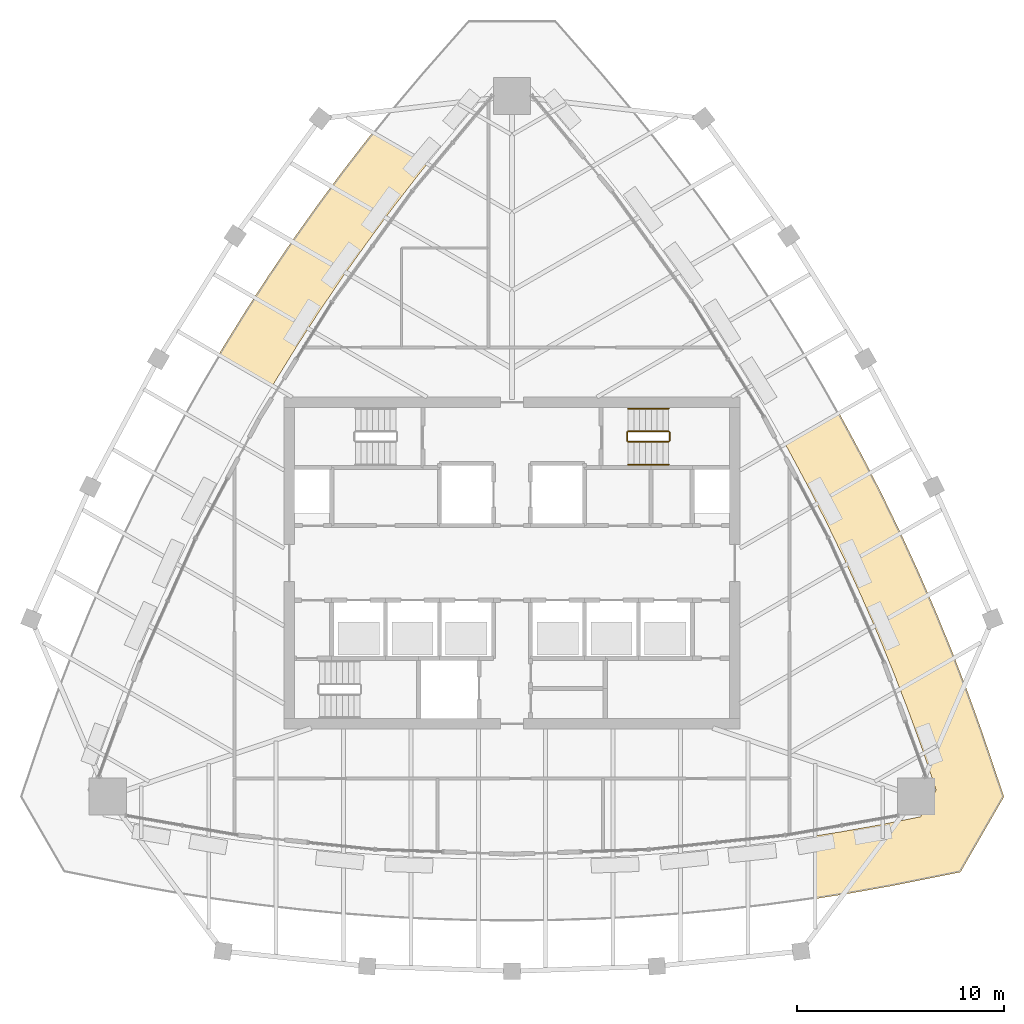
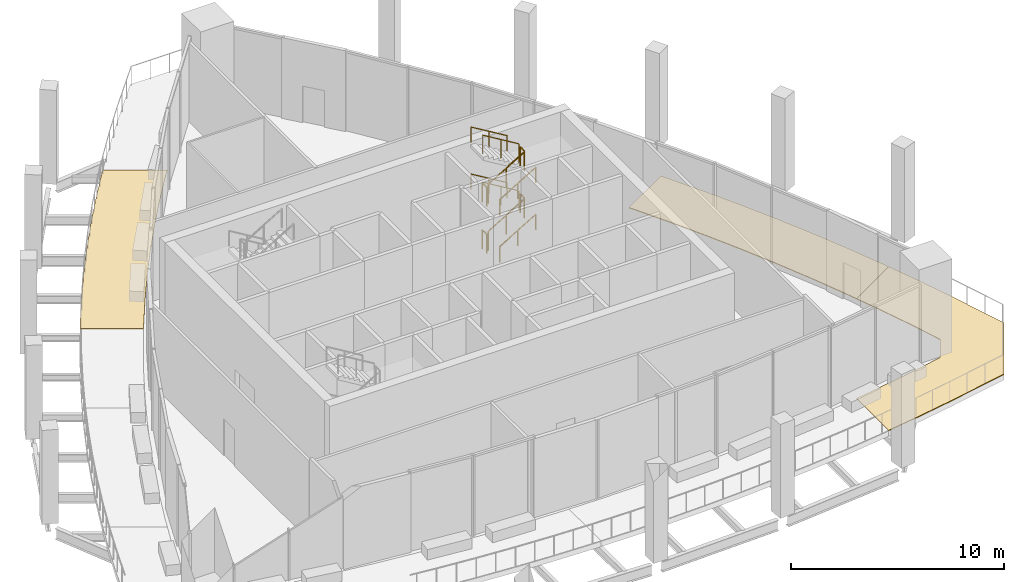
# One storey, part 12 of 14: 12 railings, 3 coverings.
"""IFC4 building model written with IfcOpenShell, lengths in metres."""

from ifc_helpers import new_model, si_unit, direction, frame, origin, origin_2d, place, context, subcontext, project, spatial, polyline, circle, outline, extrude, material, layer, layer_set, type_object, element, save


model = new_model("IFC4")

# Units and contexts
model_context = context("Model", 3, precision=1e-05, world=origin(), true_north=direction((0.0, 1.0)))
body_context = subcontext(model_context, "Body", "Model", "MODEL_VIEW")
ifc_project = project(units=[si_unit("LENGTHUNIT", "METRE"), si_unit("AREAUNIT", "SQUARE_METRE"), si_unit("VOLUMEUNIT", "CUBIC_METRE"), si_unit("PLANEANGLEUNIT", "RADIAN"), si_unit("MASSUNIT", "GRAM", prefix="KILO")], contexts=[model_context])

# Site, building, storey
site_placement = place(None, origin())
site = spatial("IfcSite", under=ifc_project, at=site_placement, CompositionType="ELEMENT")
building_placement = place(site_placement, origin())
building = spatial("IfcBuilding", under=site, at=building_placement, Name="Sierra Prisma Convention Tower", CompositionType="ELEMENT")
storey_placement = place(building_placement, frame((0.0, 0.0, 339.39990234375)))
storey = spatial("IfcBuildingStorey", under=building, at=storey_placement, Name="L76", CompositionType="ELEMENT", Elevation=339.39990234375)

# Coverings
ifc_material_1 = material(Name="Porcelain stoneware paving", Category="masonry")
ifc_layer = layer(ifc_material_1, 0.0400390625)
ifc_layer_set = layer_set([ifc_layer], Name="Deck paving")
covering_type = type_object("IfcCoveringType", Name="Deck paving", PredefinedType="FLOORING", material=ifc_layer_set)
covering_1_placement = place(storey_placement, origin())
element("IfcCovering", 1, at=covering_1_placement, inside=storey, type_object=covering_type, Name="Deck paving L76", PredefinedType="FLOORING", context=body_context, shape_type="SweptSolid", body=[
    extrude(outline(polyline([(21.351806640625, -4.57177734375), (21.962646484375, -6.15673828125), (22.659423828125, -8.0830078125), (23.7412109375, -11.27978515625), (21.63916015625, -14.92041015625), (18.329833984375, -15.58203125), (16.313232421875, -15.94189453125), (14.63525390625, -16.205322265625), (14.63525390625, -13.16845703125), (15.81689453125, -12.98291015625), (17.772216796875, -12.634033203125), (17.8876953125, -12.611083984375), (19.719970703125, -12.244873046875), (20.46435546875, -10.95556640625), (19.865234375, -9.185546875), (19.82763671875, -9.07421875), (19.152099609375, -7.206298828125), (18.721923828125, -6.09033203125), (21.351806640625, -4.57177734375)])), origin(), (0.0, 0.0, 1.0), 0.0400390625),
])
covering_2_placement = place(storey_placement, origin())
element("IfcCovering", 2, at=covering_2_placement, inside=storey, type_object=covering_type, Name="Deck paving L76", PredefinedType="FLOORING", context=body_context, shape_type="SweptSolid", body=[
    extrude(outline(polyline([(21.225830078125, -4.2451171875), (21.351806640625, -4.57177734375), (18.721923828125, -6.09033203125), (18.437744140625, -5.35302734375), (17.685302734375, -3.514892578125), (17.4833984375, -3.0498046875), (16.894775390625, -1.69287109375), (16.14794921875, -0.0654296875), (16.06640625, 0.112548828125), (15.200927734375, 1.900146484375), (14.711181640625, 2.8603515625), (14.29833984375, 3.66943359375), (13.359375, 5.419677734375), (13.1826171875, 5.733154296875), (15.78076171875, 7.2333984375), (15.98828125, 6.865478515625), (16.95654296875, 5.060302734375), (17.312744140625, 4.3623046875), (17.887451171875, 3.235595703125), (18.756591796875, 1.4404296875), (18.7802734375, 1.391845703125), (19.63427734375, -0.47021484375), (20.0986328125, -1.5400390625), (20.44970703125, -2.349365234375), (21.225830078125, -4.2451171875)])), origin(), (0.0, 0.0, 1.0), 0.0400390625),
])
covering_3_placement = place(storey_placement, origin())
element("IfcCovering", 3, at=covering_3_placement, inside=storey, type_object=covering_type, Name="Deck paving L76", PredefinedType="FLOORING", context=body_context, shape_type="SweptSolid", body=[
    extrude(outline(polyline([(-12.86083984375, 12.15478515625), (-12.434326171875, 12.81201171875), (-11.745849609375, 13.873291015625), (-10.625732421875, 15.5234375), (-10.595458984375, 15.568115234375), (-9.409912109375, 17.239013671875), (-8.715576171875, 18.176025390625), (-8.190185546875, 18.884765625), (-6.9365234375, 20.5048828125), (-6.716552734375, 20.777099609375), (-4.086669921875, 19.2587890625), (-4.5830078125, 18.64404296875), (-5.798583984375, 17.0732421875), (-6.1005859375, 16.666015625), (-6.981201171875, 15.4775390625), (-8.017333984375, 14.017333984375), (-8.130615234375, 13.857666015625), (-9.24609375, 12.21435546875), (-9.832763671875, 11.31005859375), (-10.3271484375, 10.548095703125), (-11.373291015625, 8.859619140625), (-11.556396484375, 8.5498046875), (-14.15478515625, 10.0498046875), (-13.939697265625, 10.413330078125), (-12.86083984375, 12.15478515625)])), origin(), (0.0, 0.0, 1.0), 0.0400390625),
])

# Railings
ifc_material_2 = material(Name="Stainless steel", Category="steel")
railing_type_1 = type_object("IfcRailingType", Name="Exit stair handrail", PredefinedType="HANDRAIL", material=ifc_material_2)
railing_1_placement = place(storey_placement, frame((5.60009765625, 4.75, 0.1689453125)))
element("IfcRailing", 4, at=railing_1_placement, inside=storey, type_object=railing_type_1, Name="L76 S4 stair handrail 1", PredefinedType="HANDRAIL", context=body_context, shape_type="SweptSolid", body=[
    extrude(circle(Radius=0.02392578125, at=origin_2d()), frame((0.0, 0.0, 0.8759765625), z_axis=(0.856493463811, 0.0, 0.516157869696), x_axis=(0.0, 1.0, 0.0)), (0.0, 0.0, 1.0), 2.288330078125),
    extrude(circle(Radius=0.02099609375, at=origin_2d()), origin(), (0.0, 0.0, 1.0), 0.851806640625),
    extrude(circle(Radius=0.02099609375, at=origin_2d()), frame((0.97998046875, 0.0, 0.590576171875)), (0.0, 0.0, 1.0), 0.851806640625),
    extrude(circle(Radius=0.02099609375, at=origin_2d()), frame((1.9599609375, 0.0, 1.18115234375)), (0.0, 0.0, 1.0), 0.851806640625),
])
railing_2_placement = place(storey_placement, frame((7.56005859375, 7.449951171875, 1.518798828125)))
element("IfcRailing", 5, at=railing_2_placement, inside=storey, type_object=railing_type_1, Name="L76 S4 stair handrail 2", PredefinedType="HANDRAIL", context=body_context, shape_type="SweptSolid", body=[
    extrude(circle(Radius=0.02392578125, at=origin_2d()), frame((0.0, 0.0, 0.8759765625), z_axis=(-0.856446297458, 0.0, 0.516236127728), x_axis=(0.0, -1.0, 0.0)), (0.0, 0.0, 1.0), 2.28857421875),
    extrude(circle(Radius=0.02099609375, at=origin_2d()), origin(), (0.0, 0.0, 1.0), 0.851806640625),
    extrude(circle(Radius=0.02099609375, at=origin_2d()), frame((-0.97998046875, 0.0, 0.5908203125)), (0.0, 0.0, 1.0), 0.851806640625),
    extrude(circle(Radius=0.02099609375, at=origin_2d()), frame((-1.9599609375, 0.0, 1.181396484375)), (0.0, 0.0, 1.0), 0.851806640625),
])
railing_3_placement = place(storey_placement, frame((5.60009765625, 4.75, 2.868896484375)))
element("IfcRailing", 6, at=railing_3_placement, inside=storey, type_object=railing_type_1, Name="L76 S4 stair handrail 3", PredefinedType="HANDRAIL", context=body_context, shape_type="SweptSolid", body=[
    extrude(circle(Radius=0.02392578125, at=origin_2d()), frame((0.0, 0.0, 0.8759765625), z_axis=(0.856493463811, 0.0, 0.516157869696), x_axis=(0.0, 1.0, 0.0)), (0.0, 0.0, 1.0), 2.288330078125),
    extrude(circle(Radius=0.02099609375, at=origin_2d()), origin(), (0.0, 0.0, 1.0), 0.851806640625),
    extrude(circle(Radius=0.02099609375, at=origin_2d()), frame((0.97998046875, 0.0, 0.590576171875)), (0.0, 0.0, 1.0), 0.851806640625),
    extrude(circle(Radius=0.02099609375, at=origin_2d()), frame((1.9599609375, 0.0, 1.18115234375)), (0.0, 0.0, 1.0), 0.851806640625),
])
railing_4_placement = place(storey_placement, frame((7.56005859375, 7.449951171875, 4.21875)))
element("IfcRailing", 7, at=railing_4_placement, inside=storey, type_object=railing_type_1, Name="L76 S4 stair handrail 4", PredefinedType="HANDRAIL", context=body_context, shape_type="SweptSolid", body=[
    extrude(circle(Radius=0.02392578125, at=origin_2d()), frame((0.0, 0.0, 0.8759765625), z_axis=(-0.856446297458, 0.0, 0.516236127728), x_axis=(0.0, -1.0, 0.0)), (0.0, 0.0, 1.0), 2.28857421875),
    extrude(circle(Radius=0.02099609375, at=origin_2d()), origin(), (0.0, 0.0, 1.0), 0.851806640625),
    extrude(circle(Radius=0.02099609375, at=origin_2d()), frame((-0.97998046875, 0.0, 0.5908203125)), (0.0, 0.0, 1.0), 0.851806640625),
    extrude(circle(Radius=0.02099609375, at=origin_2d()), frame((-1.9599609375, 0.0, 1.181396484375)), (0.0, 0.0, 1.0), 0.851806640625),
])
ifc_material_3 = material(Name="Stainless steel", Category="steel")
railing_type_2 = type_object("IfcRailingType", Name="Stair guard 1100", PredefinedType="GUARDRAIL", material=ifc_material_3)
railing_5_placement = place(storey_placement, frame((5.60009765625, 5.85009765625, 0.1689453125)))
element("IfcRailing", 8, at=railing_5_placement, inside=storey, type_object=railing_type_2, Name="L76 S4 stair guard 1", PredefinedType="GUARDRAIL", context=body_context, shape_type="SweptSolid", body=[
    extrude(circle(Radius=0.02392578125, at=origin_2d()), frame((0.0, 0.0, 1.076171875), z_axis=(0.856493463811, 0.0, 0.516157869696), x_axis=(0.0, 1.0, 0.0)), (0.0, 0.0, 1.0), 2.288330078125),
    extrude(circle(Radius=0.02099609375, at=origin_2d()), origin(), (0.0, 0.0, 1.0), 1.052001953125),
    extrude(circle(Radius=0.02099609375, at=origin_2d()), frame((0.97998046875, 0.0, 0.590576171875)), (0.0, 0.0, 1.0), 1.052001953125),
    extrude(circle(Radius=0.02099609375, at=origin_2d()), frame((1.9599609375, 0.0, 1.18115234375)), (0.0, 0.0, 1.0), 1.052001953125),
])
railing_6_placement = place(storey_placement, frame((7.610107421875, 5.89990234375, 1.35009765625)))
element("IfcRailing", 9, at=railing_6_placement, inside=storey, type_object=railing_type_2, Name="L76 S4 stair guard 2", PredefinedType="GUARDRAIL", context=body_context, shape_type="SweptSolid", body=[
    extrude(circle(Radius=0.02392578125, at=origin_2d()), frame((0.0, 0.0, 1.076171875), z_axis=(0.0, 1.0, 0.0), x_axis=(-1.0, 0.0, 0.0)), (0.0, 0.0, 1.0), 0.400146484375),
    extrude(circle(Radius=0.02099609375, at=origin_2d()), origin(), (0.0, 0.0, 1.0), 1.052001953125),
    extrude(circle(Radius=0.02099609375, at=origin_2d()), frame((0.0, 0.400146484375, 0.0)), (0.0, 0.0, 1.0), 1.052001953125),
])
railing_7_placement = place(storey_placement, frame((7.56005859375, 6.35009765625, 1.518798828125)))
element("IfcRailing", 10, at=railing_7_placement, inside=storey, type_object=railing_type_2, Name="L76 S4 stair guard 3", PredefinedType="GUARDRAIL", context=body_context, shape_type="SweptSolid", body=[
    extrude(circle(Radius=0.02392578125, at=origin_2d()), frame((0.0, 0.0, 1.076171875), z_axis=(-0.856446297458, 0.0, 0.516236127728), x_axis=(0.0, -1.0, 0.0)), (0.0, 0.0, 1.0), 2.28857421875),
    extrude(circle(Radius=0.02099609375, at=origin_2d()), origin(), (0.0, 0.0, 1.0), 1.052001953125),
    extrude(circle(Radius=0.02099609375, at=origin_2d()), frame((-0.97998046875, 0.0, 0.5908203125)), (0.0, 0.0, 1.0), 1.052001953125),
    extrude(circle(Radius=0.02099609375, at=origin_2d()), frame((-1.9599609375, 0.0, 1.181396484375)), (0.0, 0.0, 1.0), 1.052001953125),
])
railing_8_placement = place(storey_placement, frame((5.550048828125, 5.89990234375, 2.7001953125)))
element("IfcRailing", 11, at=railing_8_placement, inside=storey, type_object=railing_type_2, Name="L76 S4 stair guard 4", PredefinedType="GUARDRAIL", context=body_context, shape_type="SweptSolid", body=[
    extrude(circle(Radius=0.02392578125, at=origin_2d()), frame((0.0, 0.0, 1.076171875), z_axis=(0.0, 1.0, 0.0), x_axis=(-1.0, 0.0, 0.0)), (0.0, 0.0, 1.0), 0.400146484375),
    extrude(circle(Radius=0.02099609375, at=origin_2d()), origin(), (0.0, 0.0, 1.0), 1.052001953125),
    extrude(circle(Radius=0.02099609375, at=origin_2d()), frame((0.0, 0.400146484375, 0.0)), (0.0, 0.0, 1.0), 1.052001953125),
])
railing_9_placement = place(storey_placement, frame((5.60009765625, 5.85009765625, 2.868896484375)))
element("IfcRailing", 12, at=railing_9_placement, inside=storey, type_object=railing_type_2, Name="L76 S4 stair guard 5", PredefinedType="GUARDRAIL", context=body_context, shape_type="SweptSolid", body=[
    extrude(circle(Radius=0.02392578125, at=origin_2d()), frame((0.0, 0.0, 1.076171875), z_axis=(0.856493463811, 0.0, 0.516157869696), x_axis=(0.0, 1.0, 0.0)), (0.0, 0.0, 1.0), 2.288330078125),
    extrude(circle(Radius=0.02099609375, at=origin_2d()), origin(), (0.0, 0.0, 1.0), 1.052001953125),
    extrude(circle(Radius=0.02099609375, at=origin_2d()), frame((0.97998046875, 0.0, 0.590576171875)), (0.0, 0.0, 1.0), 1.052001953125),
    extrude(circle(Radius=0.02099609375, at=origin_2d()), frame((1.9599609375, 0.0, 1.18115234375)), (0.0, 0.0, 1.0), 1.052001953125),
])
railing_10_placement = place(storey_placement, frame((7.610107421875, 5.89990234375, 4.050048828125)))
element("IfcRailing", 13, at=railing_10_placement, inside=storey, type_object=railing_type_2, Name="L76 S4 stair guard 6", PredefinedType="GUARDRAIL", context=body_context, shape_type="SweptSolid", body=[
    extrude(circle(Radius=0.02392578125, at=origin_2d()), frame((0.0, 0.0, 1.076171875), z_axis=(0.0, 1.0, 0.0), x_axis=(-1.0, 0.0, 0.0)), (0.0, 0.0, 1.0), 0.400146484375),
    extrude(circle(Radius=0.02099609375, at=origin_2d()), origin(), (0.0, 0.0, 1.0), 1.052001953125),
    extrude(circle(Radius=0.02099609375, at=origin_2d()), frame((0.0, 0.400146484375, 0.0)), (0.0, 0.0, 1.0), 1.052001953125),
])
railing_11_placement = place(storey_placement, frame((7.56005859375, 6.35009765625, 4.21875)))
element("IfcRailing", 14, at=railing_11_placement, inside=storey, type_object=railing_type_2, Name="L76 S4 stair guard 7", PredefinedType="GUARDRAIL", context=body_context, shape_type="SweptSolid", body=[
    extrude(circle(Radius=0.02392578125, at=origin_2d()), frame((0.0, 0.0, 1.076171875), z_axis=(-0.856446297458, 0.0, 0.516236127728), x_axis=(0.0, -1.0, 0.0)), (0.0, 0.0, 1.0), 2.28857421875),
    extrude(circle(Radius=0.02099609375, at=origin_2d()), origin(), (0.0, 0.0, 1.0), 1.052001953125),
    extrude(circle(Radius=0.02099609375, at=origin_2d()), frame((-0.97998046875, 0.0, 0.5908203125)), (0.0, 0.0, 1.0), 1.052001953125),
    extrude(circle(Radius=0.02099609375, at=origin_2d()), frame((-1.9599609375, 0.0, 1.181396484375)), (0.0, 0.0, 1.0), 1.052001953125),
])
railing_12_placement = place(storey_placement, frame((5.550048828125, 5.89990234375, 0.0)))
element("IfcRailing", 15, at=railing_12_placement, inside=storey, type_object=railing_type_2, Name="L76 S4 stair guard 8", PredefinedType="GUARDRAIL", context=body_context, shape_type="SweptSolid", body=[
    extrude(circle(Radius=0.02392578125, at=origin_2d()), frame((0.0, 0.0, 1.076171875), z_axis=(0.0, 1.0, 0.0), x_axis=(-1.0, 0.0, 0.0)), (0.0, 0.0, 1.0), 0.400146484375),
    extrude(circle(Radius=0.02099609375, at=origin_2d()), origin(), (0.0, 0.0, 1.0), 1.052001953125),
    extrude(circle(Radius=0.02099609375, at=origin_2d()), frame((0.0, 0.400146484375, 0.0)), (0.0, 0.0, 1.0), 1.052001953125),
])

save(model, "model.ifc")
